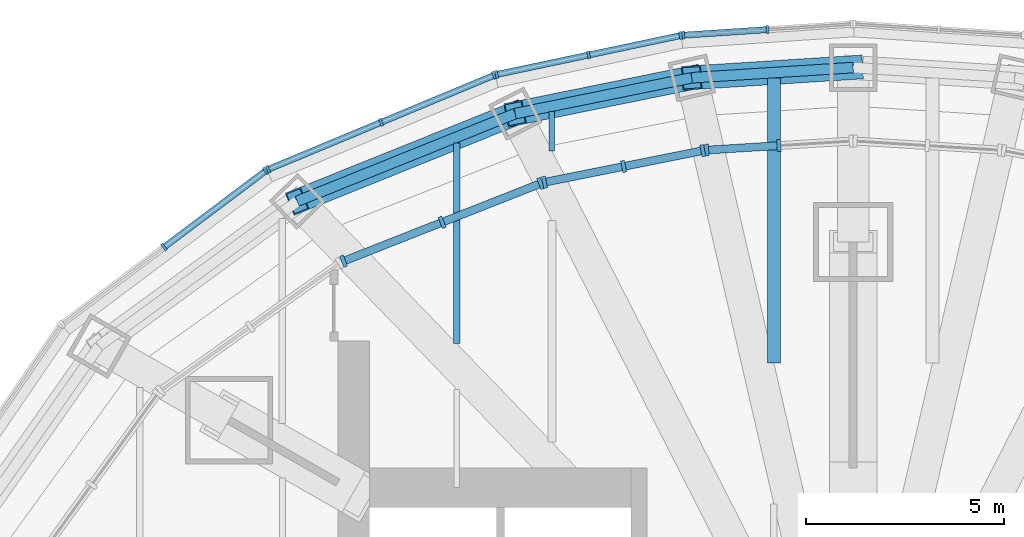
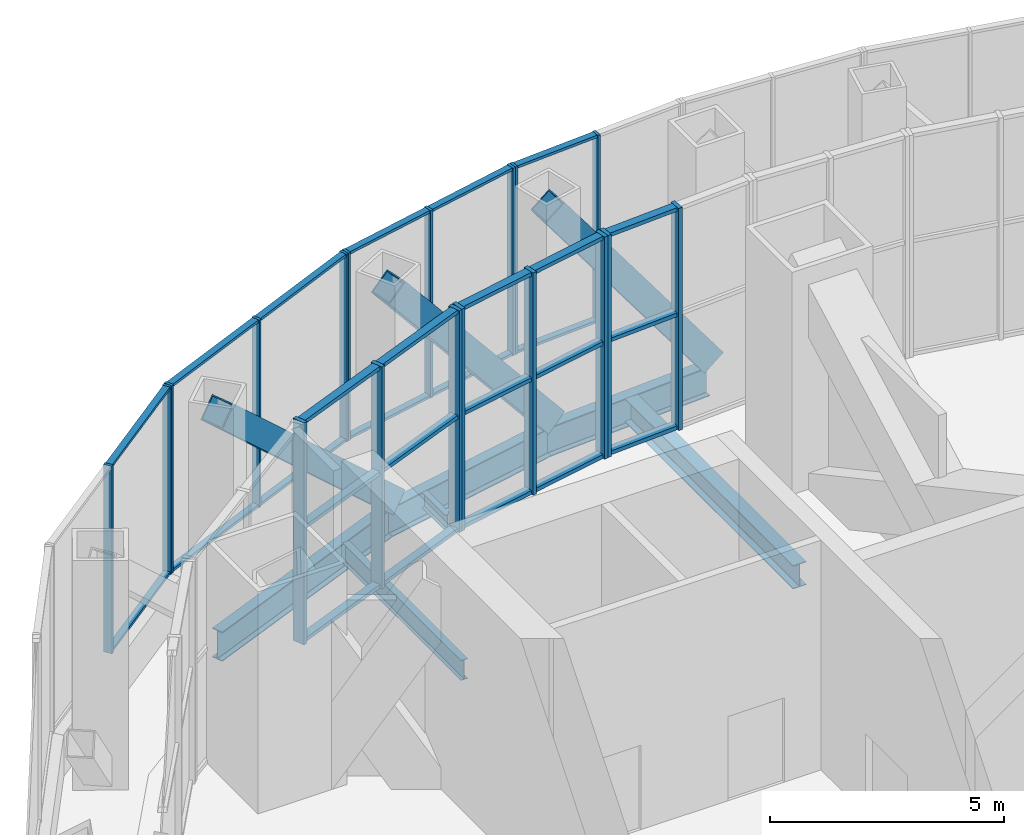
# One storey, part 10 of 21: 48 members, 6 beams, 7 elements without a shape of their own.
"""IFC4 building model written with IfcOpenShell, lengths in metres."""

from ifc_helpers import new_model, si_unit, direction, frame, origin, origin_2d, place, context, subcontext, project, spatial, rectangle, hollow_rectangle, i_section, extrude, material, material_profile, profile_set, type_object, element, aggregate, save


model = new_model("IFC4")

# Units and contexts
model_context = context("Model", 3, precision=1e-05, world=origin(), true_north=direction((0.0, 1.0)))
body_context = subcontext(model_context, "Body", "Model", "MODEL_VIEW")
ifc_project = project(units=[si_unit("LENGTHUNIT", "METRE"), si_unit("AREAUNIT", "SQUARE_METRE"), si_unit("VOLUMEUNIT", "CUBIC_METRE"), si_unit("PLANEANGLEUNIT", "RADIAN"), si_unit("MASSUNIT", "GRAM", prefix="KILO")], contexts=[model_context])

# Site, building, storey
site_placement = place(None, origin())
site = spatial("IfcSite", under=ifc_project, at=site_placement, CompositionType="ELEMENT")
building_placement = place(site_placement, origin())
building = spatial("IfcBuilding", under=site, at=building_placement, Name="Lantaw Convention Tower", CompositionType="ELEMENT")
storey_placement = place(building_placement, frame((0.0, 0.0, 284.39990234375)))
storey = spatial("IfcBuildingStorey", under=building, at=storey_placement, Name="L66", CompositionType="ELEMENT", Elevation=284.39990234375)

# Beams
ifc_material_1 = material(Name="Steel ASTM A992", Category="steel")
ifc_material_profile_1 = material_profile(ifc_material_1, i_section(OverallWidth=0.2666015625, OverallDepth=0.76953125, WebThickness=0.015625, FlangeThickness=0.025390625, FilletRadius=0.0126953125, at=origin_2d()), Name="W30X132")
ifc_profile_set_1 = profile_set([ifc_material_profile_1], Name="Steel ASTM A992")
beam_type_1 = type_object("IfcBeamType", Name="Beam E W30X132", PredefinedType="SPANDREL", material=ifc_profile_set_1)
beam_1_placement = place(storey_placement, frame((0.0, 17.89990234375, -0.584716796875), z_axis=(-0.998006453216, -0.063111958769, 0.0), x_axis=(0.063111958769, -0.998006453216, 0.0)))
element("IfcBeam", 1, at=beam_1_placement, inside=storey, type_object=beam_type_1, Name="Edge beam 7", PredefinedType="SPANDREL", context=body_context, shape_type="SweptSolid", body=[
    extrude(i_section(OverallWidth=0.2666015625, OverallDepth=0.76953125, WebThickness=0.015625, FlangeThickness=0.025390625, FilletRadius=0.0126953125, at=origin_2d()), origin(), (0.0, 0.0, 1.0), 4.0810546875),
])
beam_2_placement = place(storey_placement, frame((-4.072998046875, 17.642333984375, -0.584716796875), z_axis=(-0.980006466425, -0.198965639657, 0.0), x_axis=(0.198965639657, -0.980006466425, 0.0)))
element("IfcBeam", 2, at=beam_2_placement, inside=storey, type_object=beam_type_1, Name="Edge beam 8", PredefinedType="SPANDREL", context=body_context, shape_type="SweptSolid", body=[
    extrude(i_section(OverallWidth=0.2666015625, OverallDepth=0.76953125, WebThickness=0.015625, FlangeThickness=0.025390625, FilletRadius=0.0126953125, at=origin_2d()), origin(), (0.0, 0.0, 1.0), 4.546142578125),
])
beam_3_placement = place(storey_placement, frame((-8.5283203125, 16.73779296875, -0.584716796875), z_axis=(-0.927779110974, -0.373129898615, 0.0), x_axis=(0.373129898615, -0.927779110974, 0.0)))
element("IfcBeam", 3, at=beam_3_placement, inside=storey, type_object=beam_type_1, Name="Edge beam 9", PredefinedType="SPANDREL", context=body_context, shape_type="SweptSolid", body=[
    extrude(i_section(OverallWidth=0.2666015625, OverallDepth=0.76953125, WebThickness=0.015625, FlangeThickness=0.025390625, FilletRadius=0.0126953125, at=origin_2d()), origin(), (0.0, 0.0, 1.0), 5.92724609375),
])
ifc_material_profile_2 = material_profile(ifc_material_1, i_section(OverallWidth=0.140380859375, OverallDepth=0.40380859375, WebThickness=0.007080078125, FlangeThickness=0.01123046875, FilletRadius=0.01025390625, at=origin_2d()), Name="W16X31")
ifc_profile_set_2 = profile_set([ifc_material_profile_2], Name="Steel ASTM A992")
beam_type_2 = type_object("IfcBeamType", Name="Beam J W16X31", PredefinedType="JOIST", material=ifc_profile_set_2)
beam_4_placement = place(storey_placement, frame((-7.60009765625, 15.796875, -0.40185546875), z_axis=(0.0, 1.0, 0.0), x_axis=(-1.0, 0.0, 0.0)))
element("IfcBeam", 4, at=beam_4_placement, inside=storey, type_object=beam_type_2, Name="Floor joist", PredefinedType="JOIST", context=body_context, shape_type="SweptSolid", body=[
    extrude(i_section(OverallWidth=0.140380859375, OverallDepth=0.40380859375, WebThickness=0.007080078125, FlangeThickness=0.01123046875, FilletRadius=0.01025390625, at=origin_2d()), origin(), (0.0, 0.0, 1.0), 0.993408203125),
])
ifc_material_profile_3 = material_profile(ifc_material_1, i_section(OverallWidth=0.1650390625, OverallDepth=0.52587890625, WebThickness=0.0087890625, FlangeThickness=0.011474609375, FilletRadius=0.0126953125, at=origin_2d()), Name="W21X44")
ifc_profile_set_3 = profile_set([ifc_material_profile_3], Name="Steel ASTM A992")
beam_type_3 = type_object("IfcBeamType", Name="Beam J W21X44", PredefinedType="JOIST", material=ifc_profile_set_3)
beam_5_placement = place(storey_placement, frame((-10.0, 10.93115234375, -0.462890625), z_axis=(0.0, 1.0, 0.0), x_axis=(-1.0, 0.0, 0.0)))
element("IfcBeam", 5, at=beam_5_placement, inside=storey, type_object=beam_type_3, Name="Floor joist", PredefinedType="JOIST", context=body_context, shape_type="SweptSolid", body=[
    extrude(i_section(OverallWidth=0.1650390625, OverallDepth=0.52587890625, WebThickness=0.0087890625, FlangeThickness=0.011474609375, FilletRadius=0.0126953125, at=origin_2d()), origin(), (0.0, 0.0, 1.0), 5.071044921875),
])
ifc_material_profile_4 = material_profile(ifc_material_1, i_section(OverallWidth=0.3251953125, OverallDepth=0.612060546875, WebThickness=0.0126953125, FlangeThickness=0.01904296875, FilletRadius=0.0126953125, at=origin_2d()), Name="W24X104")
ifc_profile_set_4 = profile_set([ifc_material_profile_4], Name="Steel ASTM A992")
beam_type_4 = type_object("IfcBeamType", Name="Beam J W24X104", PredefinedType="JOIST", material=ifc_profile_set_4)
beam_6_placement = place(storey_placement, frame((-2.0, 10.441162109375, -0.505859375), z_axis=(0.0, 1.0, 0.0), x_axis=(-1.0, 0.0, 0.0)))
element("IfcBeam", 6, at=beam_6_placement, inside=storey, type_object=beam_type_4, Name="Floor joist", PredefinedType="JOIST", context=body_context, shape_type="SweptSolid", body=[
    extrude(i_section(OverallWidth=0.3251953125, OverallDepth=0.612060546875, WebThickness=0.0126953125, FlangeThickness=0.01904296875, FilletRadius=0.0126953125, at=origin_2d()), origin(), (0.0, 0.0, 1.0), 7.19873046875),
])

# Curtain wall, members
ifc_material_2 = material(Name="Aluminium framed curtain wall", Category="aluminium")
curtain_wall_type_1 = type_object("IfcCurtainWallType", Name="LANTERN glazing curtain wall, pale aluminium", PredefinedType="USERDEFINED", material=ifc_material_2)
curtain_wall_1_placement = place(storey_placement, origin())
curtain_wall_1 = element("IfcCurtainWall", 7, at=curtain_wall_1_placement, inside=storey, type_object=curtain_wall_type_1, Name="LANTERN glazing curtain wall, pale aluminium L66", ObjectType="LANTERN GLAZING", PredefinedType="USERDEFINED")
ifc_material_3 = material(Name="Aluminium 6063-T6", Category="aluminium")
ifc_material_profile_5 = material_profile(ifc_material_3, rectangle(XDim=0.300048828125, YDim=0.10009765625, at=origin_2d()), Name="CW-LN mullion 100x300")
ifc_profile_set_5 = profile_set([ifc_material_profile_5], Name="Aluminium 6063-T6")
member_type_1 = type_object("IfcMemberType", Name="CW-LN mullion 100x300", PredefinedType="MULLION", material=ifc_profile_set_5)
member_1_placement = place(storey_placement, frame((-1.87255859375, 15.930908203125, 0.0), z_axis=(0.0, 0.0, 1.0), x_axis=(0.062488626454, -0.998045676091, 0.0)))
member_1 = element("IfcMember", 8, at=member_1_placement, type_object=member_type_1, Name="CW-LN mullion 2", PredefinedType="MULLION", context=body_context, shape_type="SweptSolid", body=[
    extrude(rectangle(XDim=0.300048828125, YDim=0.10009765625, at=origin_2d()), origin(), (0.0, 0.0, 1.0), 5.800048828125),
])
member_2_placement = place(storey_placement, frame((-3.6953125, 15.816650390625, 0.0), z_axis=(0.0, 0.0, 1.0), x_axis=(0.062488626454, -0.998045676091, 0.0)))
member_2 = element("IfcMember", 9, at=member_2_placement, type_object=member_type_1, Name="CW-LN mullion 3", PredefinedType="MULLION", context=body_context, shape_type="SweptSolid", body=[
    extrude(rectangle(XDim=0.300048828125, YDim=0.10009765625, at=origin_2d()), origin(), (0.0, 0.0, 1.0), 5.800048828125),
])

curtain_wall_2_placement = place(storey_placement, origin())
curtain_wall_2 = element("IfcCurtainWall", 10, at=curtain_wall_2_placement, inside=storey, type_object=curtain_wall_type_1, Name="LANTERN glazing curtain wall, pale aluminium L66", ObjectType="LANTERN GLAZING", PredefinedType="USERDEFINED")
member_3_placement = place(storey_placement, frame((-3.79443359375, 15.8037109375, 0.0), z_axis=(0.0, 0.0, 1.0), x_axis=(0.196367228305, -0.980530423622, 0.0)))
member_3 = element("IfcMember", 11, at=member_3_placement, type_object=member_type_1, Name="CW-LN mullion 1", PredefinedType="MULLION", context=body_context, shape_type="SweptSolid", body=[
    extrude(rectangle(XDim=0.300048828125, YDim=0.10009765625, at=origin_2d()), origin(), (0.0, 0.0, 1.0), 5.800048828125),
])
member_4_placement = place(storey_placement, frame((-5.791015625, 15.404052734375, 0.0), z_axis=(0.0, 0.0, 1.0), x_axis=(0.196367228305, -0.980530423622, 0.0)))
member_4 = element("IfcMember", 12, at=member_4_placement, type_object=member_type_1, Name="CW-LN mullion 2", PredefinedType="MULLION", context=body_context, shape_type="SweptSolid", body=[
    extrude(rectangle(XDim=0.300048828125, YDim=0.10009765625, at=origin_2d()), origin(), (0.0, 0.0, 1.0), 5.800048828125),
])
member_5_placement = place(storey_placement, frame((-7.787353515625, 15.004150390625, 0.0), z_axis=(0.0, 0.0, 1.0), x_axis=(0.196367228305, -0.980530423622, 0.0)))
member_5 = element("IfcMember", 13, at=member_5_placement, type_object=member_type_1, Name="CW-LN mullion 3", PredefinedType="MULLION", context=body_context, shape_type="SweptSolid", body=[
    extrude(rectangle(XDim=0.300048828125, YDim=0.10009765625, at=origin_2d()), origin(), (0.0, 0.0, 1.0), 5.800048828125),
])

curtain_wall_3_placement = place(storey_placement, origin())
curtain_wall_3 = element("IfcCurtainWall", 14, at=curtain_wall_3_placement, inside=storey, type_object=curtain_wall_type_1, Name="LANTERN glazing curtain wall, pale aluminium L66", ObjectType="LANTERN GLAZING", PredefinedType="USERDEFINED")
member_6_placement = place(storey_placement, frame((-7.883056640625, 14.97607421875, 0.0), z_axis=(0.0, 0.0, 1.0), x_axis=(0.366801957358, -0.930299050885, 0.0)))
member_6 = element("IfcMember", 15, at=member_6_placement, type_object=member_type_1, Name="CW-LN mullion 1", PredefinedType="MULLION", context=body_context, shape_type="SweptSolid", body=[
    extrude(rectangle(XDim=0.300048828125, YDim=0.10009765625, at=origin_2d()), origin(), (0.0, 0.0, 1.0), 5.800048828125),
])
member_7_placement = place(storey_placement, frame((-10.37109375, 13.994873046875, 0.0), z_axis=(0.0, 0.0, 1.0), x_axis=(0.366801957358, -0.930299050885, 0.0)))
member_7 = element("IfcMember", 16, at=member_7_placement, type_object=member_type_1, Name="CW-LN mullion 2", PredefinedType="MULLION", context=body_context, shape_type="SweptSolid", body=[
    extrude(rectangle(XDim=0.300048828125, YDim=0.10009765625, at=origin_2d()), origin(), (0.0, 0.0, 1.0), 5.800048828125),
])
member_8_placement = place(storey_placement, frame((-12.859375, 13.013916015625, 0.0), z_axis=(0.0, 0.0, 1.0), x_axis=(0.366801957358, -0.930299050885, 0.0)))
member_8 = element("IfcMember", 17, at=member_8_placement, type_object=member_type_1, Name="CW-LN mullion 3", PredefinedType="MULLION", context=body_context, shape_type="SweptSolid", body=[
    extrude(rectangle(XDim=0.300048828125, YDim=0.10009765625, at=origin_2d()), origin(), (0.0, 0.0, 1.0), 5.800048828125),
])

# Member
ifc_material_profile_6 = material_profile(ifc_material_3, rectangle(XDim=0.199951171875, YDim=0.10009765625, at=origin_2d()), Name="CW-LN transom 100x200")
ifc_profile_set_6 = profile_set([ifc_material_profile_6], Name="Aluminium 6063-T6")
member_type_2 = type_object("IfcMemberType", Name="CW-LN transom 100x200", PredefinedType="USERDEFINED", material=ifc_profile_set_6)
member_9_placement = place(storey_placement, frame((-1.922607421875, 15.927734375, 0.050048828125), z_axis=(-0.9980443153, -0.062510356719, 0.0), x_axis=(0.062510356719, -0.9980443153, 0.0)))
member_9 = element("IfcMember", 18, at=member_9_placement, type_object=member_type_2, Name="CW-LN transom 2.1", ObjectType="TRANSOM", PredefinedType="USERDEFINED", context=body_context, shape_type="SweptSolid", body=[
    extrude(rectangle(XDim=0.199951171875, YDim=0.10009765625, at=origin_2d()), origin(), (0.0, 0.0, 1.0), 1.726318359375),
])

member_10_placement = place(storey_placement, frame((-1.922607421875, 15.927734375, 3.0), z_axis=(-0.9980443153, -0.062510356719, 0.0), x_axis=(0.062510356719, -0.9980443153, 0.0)))
member_10 = element("IfcMember", 19, at=member_10_placement, type_object=member_type_2, Name="CW-LN transom 2.2", ObjectType="TRANSOM", PredefinedType="USERDEFINED", context=body_context, shape_type="SweptSolid", body=[
    extrude(rectangle(XDim=0.199951171875, YDim=0.10009765625, at=origin_2d()), origin(), (0.0, 0.0, 1.0), 1.726318359375),
])

member_11_placement = place(storey_placement, frame((-1.922607421875, 15.927734375, 5.75), z_axis=(-0.9980443153, -0.062510356719, 0.0), x_axis=(0.062510356719, -0.9980443153, 0.0)))
member_11 = element("IfcMember", 20, at=member_11_placement, type_object=member_type_2, Name="CW-LN transom 2.3", ObjectType="TRANSOM", PredefinedType="USERDEFINED", context=body_context, shape_type="SweptSolid", body=[
    extrude(rectangle(XDim=0.199951171875, YDim=0.10009765625, at=origin_2d()), origin(), (0.0, 0.0, 1.0), 1.726318359375),
])

aggregate(curtain_wall_1, [member_1, member_2, member_9, member_10, member_11])

member_12_placement = place(storey_placement, frame((-3.84326171875, 15.7939453125, 0.050048828125), z_axis=(-0.980541861959, -0.196310104034, 0.0), x_axis=(0.196310104034, -0.980541861959, 0.0)))
member_12 = element("IfcMember", 21, at=member_12_placement, type_object=member_type_2, Name="CW-LN transom 1.1", ObjectType="TRANSOM", PredefinedType="USERDEFINED", context=body_context, shape_type="SweptSolid", body=[
    extrude(rectangle(XDim=0.199951171875, YDim=0.10009765625, at=origin_2d()), origin(), (0.0, 0.0, 1.0), 1.936279296875),
])

member_13_placement = place(storey_placement, frame((-3.84326171875, 15.7939453125, 3.0), z_axis=(-0.980541861959, -0.196310104034, 0.0), x_axis=(0.196310104034, -0.980541861959, 0.0)))
member_13 = element("IfcMember", 22, at=member_13_placement, type_object=member_type_2, Name="CW-LN transom 1.2", ObjectType="TRANSOM", PredefinedType="USERDEFINED", context=body_context, shape_type="SweptSolid", body=[
    extrude(rectangle(XDim=0.199951171875, YDim=0.10009765625, at=origin_2d()), origin(), (0.0, 0.0, 1.0), 1.936279296875),
])

member_14_placement = place(storey_placement, frame((-3.84326171875, 15.7939453125, 5.75), z_axis=(-0.980541861959, -0.196310104034, 0.0), x_axis=(0.196310104034, -0.980541861959, 0.0)))
member_14 = element("IfcMember", 23, at=member_14_placement, type_object=member_type_2, Name="CW-LN transom 1.3", ObjectType="TRANSOM", PredefinedType="USERDEFINED", context=body_context, shape_type="SweptSolid", body=[
    extrude(rectangle(XDim=0.199951171875, YDim=0.10009765625, at=origin_2d()), origin(), (0.0, 0.0, 1.0), 1.936279296875),
])

member_15_placement = place(storey_placement, frame((-5.83984375, 15.39404296875, 0.050048828125), z_axis=(-0.980541861959, -0.196310104034, 0.0), x_axis=(0.196310104034, -0.980541861959, 0.0)))
member_15 = element("IfcMember", 24, at=member_15_placement, type_object=member_type_2, Name="CW-LN transom 2.1", ObjectType="TRANSOM", PredefinedType="USERDEFINED", context=body_context, shape_type="SweptSolid", body=[
    extrude(rectangle(XDim=0.199951171875, YDim=0.10009765625, at=origin_2d()), origin(), (0.0, 0.0, 1.0), 1.936279296875),
])

member_16_placement = place(storey_placement, frame((-5.83984375, 15.39404296875, 3.0), z_axis=(-0.980541861959, -0.196310104034, 0.0), x_axis=(0.196310104034, -0.980541861959, 0.0)))
member_16 = element("IfcMember", 25, at=member_16_placement, type_object=member_type_2, Name="CW-LN transom 2.2", ObjectType="TRANSOM", PredefinedType="USERDEFINED", context=body_context, shape_type="SweptSolid", body=[
    extrude(rectangle(XDim=0.199951171875, YDim=0.10009765625, at=origin_2d()), origin(), (0.0, 0.0, 1.0), 1.936279296875),
])

member_17_placement = place(storey_placement, frame((-5.83984375, 15.39404296875, 5.75), z_axis=(-0.980541861959, -0.196310104034, 0.0), x_axis=(0.196310104034, -0.980541861959, 0.0)))
member_17 = element("IfcMember", 26, at=member_17_placement, type_object=member_type_2, Name="CW-LN transom 2.3", ObjectType="TRANSOM", PredefinedType="USERDEFINED", context=body_context, shape_type="SweptSolid", body=[
    extrude(rectangle(XDim=0.199951171875, YDim=0.10009765625, at=origin_2d()), origin(), (0.0, 0.0, 1.0), 1.936279296875),
])

aggregate(curtain_wall_2, [member_3, member_4, member_5, member_12, member_13, member_14, member_15, member_16, member_17])

member_18_placement = place(storey_placement, frame((-7.929443359375, 14.95751953125, 0.050048828125), z_axis=(-0.930309390119, -0.366775733461, 0.0), x_axis=(0.366775733461, -0.930309390119, 0.0)))
member_18 = element("IfcMember", 27, at=member_18_placement, type_object=member_type_2, Name="CW-LN transom 1.1", ObjectType="TRANSOM", PredefinedType="USERDEFINED", context=body_context, shape_type="SweptSolid", body=[
    extrude(rectangle(XDim=0.199951171875, YDim=0.10009765625, at=origin_2d()), origin(), (0.0, 0.0, 1.0), 2.57470703125),
])

member_19_placement = place(storey_placement, frame((-7.929443359375, 14.95751953125, 3.0), z_axis=(-0.930309390119, -0.366775733461, 0.0), x_axis=(0.366775733461, -0.930309390119, 0.0)))
member_19 = element("IfcMember", 28, at=member_19_placement, type_object=member_type_2, Name="CW-LN transom 1.2", ObjectType="TRANSOM", PredefinedType="USERDEFINED", context=body_context, shape_type="SweptSolid", body=[
    extrude(rectangle(XDim=0.199951171875, YDim=0.10009765625, at=origin_2d()), origin(), (0.0, 0.0, 1.0), 2.57470703125),
])

member_20_placement = place(storey_placement, frame((-7.929443359375, 14.95751953125, 5.75), z_axis=(-0.930309390119, -0.366775733461, 0.0), x_axis=(0.366775733461, -0.930309390119, 0.0)))
member_20 = element("IfcMember", 29, at=member_20_placement, type_object=member_type_2, Name="CW-LN transom 1.3", ObjectType="TRANSOM", PredefinedType="USERDEFINED", context=body_context, shape_type="SweptSolid", body=[
    extrude(rectangle(XDim=0.199951171875, YDim=0.10009765625, at=origin_2d()), origin(), (0.0, 0.0, 1.0), 2.57470703125),
])

member_21_placement = place(storey_placement, frame((-10.417724609375, 13.9765625, 0.050048828125), z_axis=(-0.930296632408, -0.366808091147, 0.0), x_axis=(0.366808091147, -0.930296632408, 0.0)))
member_21 = element("IfcMember", 30, at=member_21_placement, type_object=member_type_2, Name="CW-LN transom 2.1", ObjectType="TRANSOM", PredefinedType="USERDEFINED", context=body_context, shape_type="SweptSolid", body=[
    extrude(rectangle(XDim=0.199951171875, YDim=0.10009765625, at=origin_2d()), origin(), (0.0, 0.0, 1.0), 2.574462890625),
])

member_22_placement = place(storey_placement, frame((-10.417724609375, 13.9765625, 3.0), z_axis=(-0.930296632408, -0.366808091147, 0.0), x_axis=(0.366808091147, -0.930296632408, 0.0)))
member_22 = element("IfcMember", 31, at=member_22_placement, type_object=member_type_2, Name="CW-LN transom 2.2", ObjectType="TRANSOM", PredefinedType="USERDEFINED", context=body_context, shape_type="SweptSolid", body=[
    extrude(rectangle(XDim=0.199951171875, YDim=0.10009765625, at=origin_2d()), origin(), (0.0, 0.0, 1.0), 2.574462890625),
])

member_23_placement = place(storey_placement, frame((-10.417724609375, 13.9765625, 5.75), z_axis=(-0.930296632408, -0.366808091147, 0.0), x_axis=(0.366808091147, -0.930296632408, 0.0)))
member_23 = element("IfcMember", 32, at=member_23_placement, type_object=member_type_2, Name="CW-LN transom 2.3", ObjectType="TRANSOM", PredefinedType="USERDEFINED", context=body_context, shape_type="SweptSolid", body=[
    extrude(rectangle(XDim=0.199951171875, YDim=0.10009765625, at=origin_2d()), origin(), (0.0, 0.0, 1.0), 2.574462890625),
])

aggregate(curtain_wall_3, [member_6, member_7, member_8, member_18, member_19, member_20, member_21, member_22, member_23])

# Curtain wall, members
curtain_wall_type_2 = type_object("IfcCurtainWallType", Name="Plant floor louvre wall, pale aluminium", PredefinedType="USERDEFINED", material=ifc_material_2)
curtain_wall_4_placement = place(storey_placement, origin())
curtain_wall_4 = element("IfcCurtainWall", 33, at=curtain_wall_4_placement, inside=storey, type_object=curtain_wall_type_2, Name="Plant floor louvre wall, pale aluminium L66", ObjectType="LOUVRE WALL", PredefinedType="USERDEFINED")
ifc_material_profile_7 = material_profile(ifc_material_3, rectangle(XDim=0.199951171875, YDim=0.070068359375, at=origin_2d()), Name="CW-LV mullion 70x200")
ifc_profile_set_7 = profile_set([ifc_material_profile_7], Name="Aluminium 6063-T6")
member_type_3 = type_object("IfcMemberType", Name="CW-LV mullion 70x200", PredefinedType="MULLION", material=ifc_profile_set_7)
member_24_placement = place(storey_placement, frame((-2.16015625, 18.857177734375, 1.10009765625), z_axis=(0.0, 0.0, 1.0), x_axis=(0.066024902273, -0.997817975525, 0.0)))
member_24 = element("IfcMember", 34, at=member_24_placement, type_object=member_type_3, Name="CW-LV mullion 2", PredefinedType="MULLION", context=body_context, shape_type="SweptSolid", body=[
    extrude(rectangle(XDim=0.199951171875, YDim=0.070068359375, at=origin_2d()), origin(), (0.0, 0.0, 1.0), 4.89990234375),
])
member_25_placement = place(storey_placement, frame((-4.28564453125, 18.71630859375, 1.10009765625), z_axis=(0.0, 0.0, 1.0), x_axis=(0.066024902273, -0.997817975525, 0.0)))
member_25 = element("IfcMember", 35, at=member_25_placement, type_object=member_type_3, Name="CW-LV mullion 3", PredefinedType="MULLION", context=body_context, shape_type="SweptSolid", body=[
    extrude(rectangle(XDim=0.199951171875, YDim=0.070068359375, at=origin_2d()), origin(), (0.0, 0.0, 1.0), 4.89990234375),
])

curtain_wall_5_placement = place(storey_placement, origin())
curtain_wall_5 = element("IfcCurtainWall", 36, at=curtain_wall_5_placement, inside=storey, type_object=curtain_wall_type_2, Name="Plant floor louvre wall, pale aluminium L66", ObjectType="LOUVRE WALL", PredefinedType="USERDEFINED")
member_26_placement = place(storey_placement, frame((-4.354736328125, 18.706787109375, 1.10009765625), z_axis=(0.0, 0.0, 1.0), x_axis=(0.207039911975, -0.978332497083, 0.0)))
member_26 = element("IfcMember", 37, at=member_26_placement, type_object=member_type_3, Name="CW-LV mullion 1", PredefinedType="MULLION", context=body_context, shape_type="SweptSolid", body=[
    extrude(rectangle(XDim=0.199951171875, YDim=0.070068359375, at=origin_2d()), origin(), (0.0, 0.0, 1.0), 4.89990234375),
])
member_27_placement = place(storey_placement, frame((-6.674072265625, 18.216064453125, 1.10009765625), z_axis=(0.0, 0.0, 1.0), x_axis=(0.207039911975, -0.978332497083, 0.0)))
member_27 = element("IfcMember", 38, at=member_27_placement, type_object=member_type_3, Name="CW-LV mullion 2", PredefinedType="MULLION", context=body_context, shape_type="SweptSolid", body=[
    extrude(rectangle(XDim=0.199951171875, YDim=0.070068359375, at=origin_2d()), origin(), (0.0, 0.0, 1.0), 4.89990234375),
])
member_28_placement = place(storey_placement, frame((-8.993408203125, 17.72509765625, 1.10009765625), z_axis=(0.0, 0.0, 1.0), x_axis=(0.207039911975, -0.978332497083, 0.0)))
member_28 = element("IfcMember", 39, at=member_28_placement, type_object=member_type_3, Name="CW-LV mullion 3", PredefinedType="MULLION", context=body_context, shape_type="SweptSolid", body=[
    extrude(rectangle(XDim=0.199951171875, YDim=0.070068359375, at=origin_2d()), origin(), (0.0, 0.0, 1.0), 4.89990234375),
])

curtain_wall_6_placement = place(storey_placement, origin())
curtain_wall_6 = element("IfcCurtainWall", 40, at=curtain_wall_6_placement, inside=storey, type_object=curtain_wall_type_2, Name="Plant floor louvre wall, pale aluminium L66", ObjectType="LOUVRE WALL", PredefinedType="USERDEFINED")
member_29_placement = place(storey_placement, frame((-9.06005859375, 17.70458984375, 1.10009765625), z_axis=(0.0, 0.0, 1.0), x_axis=(0.384459697924, -0.923141777124, 0.0)))
member_29 = element("IfcMember", 41, at=member_29_placement, type_object=member_type_3, Name="CW-LV mullion 1", PredefinedType="MULLION", context=body_context, shape_type="SweptSolid", body=[
    extrude(rectangle(XDim=0.199951171875, YDim=0.070068359375, at=origin_2d()), origin(), (0.0, 0.0, 1.0), 4.89990234375),
])
member_30_placement = place(storey_placement, frame((-11.90966796875, 16.517578125, 1.10009765625), z_axis=(0.0, 0.0, 1.0), x_axis=(0.384459697924, -0.923141777124, 0.0)))
member_30 = element("IfcMember", 42, at=member_30_placement, type_object=member_type_3, Name="CW-LV mullion 2", PredefinedType="MULLION", context=body_context, shape_type="SweptSolid", body=[
    extrude(rectangle(XDim=0.199951171875, YDim=0.070068359375, at=origin_2d()), origin(), (0.0, 0.0, 1.0), 4.89990234375),
])
member_31_placement = place(storey_placement, frame((-14.759521484375, 15.330810546875, 1.10009765625), z_axis=(0.0, 0.0, 1.0), x_axis=(0.384459697924, -0.923141777124, 0.0)))
member_31 = element("IfcMember", 43, at=member_31_placement, type_object=member_type_3, Name="CW-LV mullion 3", PredefinedType="MULLION", context=body_context, shape_type="SweptSolid", body=[
    extrude(rectangle(XDim=0.199951171875, YDim=0.070068359375, at=origin_2d()), origin(), (0.0, 0.0, 1.0), 4.89990234375),
])

curtain_wall_7_placement = place(storey_placement, origin())
curtain_wall_7 = element("IfcCurtainWall", 44, at=curtain_wall_7_placement, inside=storey, type_object=curtain_wall_type_2, Name="Plant floor louvre wall, pale aluminium L66", ObjectType="LOUVRE WALL", PredefinedType="USERDEFINED")
member_32_placement = place(storey_placement, frame((-14.81982421875, 15.29638671875, 1.10009765625), z_axis=(0.0, 0.0, 1.0), x_axis=(0.600642756762, -0.799517528732, 0.0)))
member_32 = element("IfcMember", 45, at=member_32_placement, type_object=member_type_3, Name="CW-LV mullion 1", PredefinedType="MULLION", context=body_context, shape_type="SweptSolid", body=[
    extrude(rectangle(XDim=0.199951171875, YDim=0.070068359375, at=origin_2d()), origin(), (0.0, 0.0, 1.0), 4.89990234375),
])
member_33_placement = place(storey_placement, frame((-17.386962890625, 13.367919921875, 1.10009765625), z_axis=(0.0, 0.0, 1.0), x_axis=(0.600642756762, -0.799517528732, 0.0)))
member_33 = element("IfcMember", 46, at=member_33_placement, type_object=member_type_3, Name="CW-LV mullion 2", PredefinedType="MULLION", context=body_context, shape_type="SweptSolid", body=[
    extrude(rectangle(XDim=0.199951171875, YDim=0.070068359375, at=origin_2d()), origin(), (0.0, 0.0, 1.0), 4.89990234375),
])

# Member
ifc_material_profile_8 = material_profile(ifc_material_3, rectangle(XDim=0.159912109375, YDim=0.070068359375, at=origin_2d()), Name="CW-LV transom 70x160")
ifc_profile_set_8 = profile_set([ifc_material_profile_8], Name="Aluminium 6063-T6")
member_type_4 = type_object("IfcMemberType", Name="CW-LV transom 70x160", PredefinedType="USERDEFINED", material=ifc_profile_set_8)
member_34_placement = place(storey_placement, frame((-2.195068359375, 18.854736328125, 1.135009765625), z_axis=(-0.997819110413, -0.066007748753, 0.0), x_axis=(0.066007748753, -0.997819110413, 0.0)))
member_34 = element("IfcMember", 47, at=member_34_placement, type_object=member_type_4, Name="CW-LV transom 2.1", ObjectType="TRANSOM", PredefinedType="USERDEFINED", context=body_context, shape_type="SweptSolid", body=[
    extrude(rectangle(XDim=0.159912109375, YDim=0.070068359375, at=origin_2d()), origin(), (0.0, 0.0, 1.0), 2.06005859375),
])

member_35_placement = place(storey_placement, frame((-2.195068359375, 18.854736328125, 5.965087890625), z_axis=(-0.997819110413, -0.066007748753, 0.0), x_axis=(0.066007748753, -0.997819110413, 0.0)))
member_35 = element("IfcMember", 48, at=member_35_placement, type_object=member_type_4, Name="CW-LV transom 2.2", ObjectType="TRANSOM", PredefinedType="USERDEFINED", context=body_context, shape_type="SweptSolid", body=[
    extrude(rectangle(XDim=0.159912109375, YDim=0.070068359375, at=origin_2d()), origin(), (0.0, 0.0, 1.0), 2.06005859375),
])

aggregate(curtain_wall_4, [member_24, member_25, member_34, member_35])

member_36_placement = place(storey_placement, frame((-4.388916015625, 18.69970703125, 1.135009765625), z_axis=(-0.978336479598, -0.207021092375, 0.0), x_axis=(0.207021092375, -0.978336479598, 0.0)))
member_36 = element("IfcMember", 49, at=member_36_placement, type_object=member_type_4, Name="CW-LV transom 1.1", ObjectType="TRANSOM", PredefinedType="USERDEFINED", context=body_context, shape_type="SweptSolid", body=[
    extrude(rectangle(XDim=0.159912109375, YDim=0.070068359375, at=origin_2d()), origin(), (0.0, 0.0, 1.0), 2.30078125),
])

member_37_placement = place(storey_placement, frame((-4.388916015625, 18.69970703125, 5.965087890625), z_axis=(-0.978336479598, -0.207021092375, 0.0), x_axis=(0.207021092375, -0.978336479598, 0.0)))
member_37 = element("IfcMember", 50, at=member_37_placement, type_object=member_type_4, Name="CW-LV transom 1.2", ObjectType="TRANSOM", PredefinedType="USERDEFINED", context=body_context, shape_type="SweptSolid", body=[
    extrude(rectangle(XDim=0.159912109375, YDim=0.070068359375, at=origin_2d()), origin(), (0.0, 0.0, 1.0), 2.30078125),
])

member_38_placement = place(storey_placement, frame((-6.708251953125, 18.208740234375, 1.135009765625), z_axis=(-0.978336479598, -0.207021092375, 0.0), x_axis=(0.207021092375, -0.978336479598, 0.0)))
member_38 = element("IfcMember", 51, at=member_38_placement, type_object=member_type_4, Name="CW-LV transom 2.1", ObjectType="TRANSOM", PredefinedType="USERDEFINED", context=body_context, shape_type="SweptSolid", body=[
    extrude(rectangle(XDim=0.159912109375, YDim=0.070068359375, at=origin_2d()), origin(), (0.0, 0.0, 1.0), 2.30078125),
])

member_39_placement = place(storey_placement, frame((-6.708251953125, 18.208740234375, 5.965087890625), z_axis=(-0.978336479598, -0.207021092375, 0.0), x_axis=(0.207021092375, -0.978336479598, 0.0)))
member_39 = element("IfcMember", 52, at=member_39_placement, type_object=member_type_4, Name="CW-LV transom 2.2", ObjectType="TRANSOM", PredefinedType="USERDEFINED", context=body_context, shape_type="SweptSolid", body=[
    extrude(rectangle(XDim=0.159912109375, YDim=0.070068359375, at=origin_2d()), origin(), (0.0, 0.0, 1.0), 2.30078125),
])

aggregate(curtain_wall_5, [member_26, member_27, member_28, member_36, member_37, member_38, member_39])

member_40_placement = place(storey_placement, frame((-9.09228515625, 17.69091796875, 1.135009765625), z_axis=(-0.923143943999, -0.384454494911, 0.0), x_axis=(0.384454494911, -0.923143943999, 0.0)))
member_40 = element("IfcMember", 53, at=member_40_placement, type_object=member_type_4, Name="CW-LV transom 1.1", ObjectType="TRANSOM", PredefinedType="USERDEFINED", context=body_context, shape_type="SweptSolid", body=[
    extrude(rectangle(XDim=0.159912109375, YDim=0.070068359375, at=origin_2d()), origin(), (0.0, 0.0, 1.0), 3.01708984375),
])

member_41_placement = place(storey_placement, frame((-9.09228515625, 17.69091796875, 5.965087890625), z_axis=(-0.923143943999, -0.384454494911, 0.0), x_axis=(0.384454494911, -0.923143943999, 0.0)))
member_41 = element("IfcMember", 54, at=member_41_placement, type_object=member_type_4, Name="CW-LV transom 1.2", ObjectType="TRANSOM", PredefinedType="USERDEFINED", context=body_context, shape_type="SweptSolid", body=[
    extrude(rectangle(XDim=0.159912109375, YDim=0.070068359375, at=origin_2d()), origin(), (0.0, 0.0, 1.0), 3.01708984375),
])

member_42_placement = place(storey_placement, frame((-11.942138671875, 16.504150390625, 1.135009765625), z_axis=(-0.923143943999, -0.384454494911, 0.0), x_axis=(0.384454494911, -0.923143943999, 0.0)))
member_42 = element("IfcMember", 55, at=member_42_placement, type_object=member_type_4, Name="CW-LV transom 2.1", ObjectType="TRANSOM", PredefinedType="USERDEFINED", context=body_context, shape_type="SweptSolid", body=[
    extrude(rectangle(XDim=0.159912109375, YDim=0.070068359375, at=origin_2d()), origin(), (0.0, 0.0, 1.0), 3.01708984375),
])

member_43_placement = place(storey_placement, frame((-11.942138671875, 16.504150390625, 5.965087890625), z_axis=(-0.923143943999, -0.384454494911, 0.0), x_axis=(0.384454494911, -0.923143943999, 0.0)))
member_43 = element("IfcMember", 56, at=member_43_placement, type_object=member_type_4, Name="CW-LV transom 2.2", ObjectType="TRANSOM", PredefinedType="USERDEFINED", context=body_context, shape_type="SweptSolid", body=[
    extrude(rectangle(XDim=0.159912109375, YDim=0.070068359375, at=origin_2d()), origin(), (0.0, 0.0, 1.0), 3.01708984375),
])

aggregate(curtain_wall_6, [member_29, member_30, member_31, member_40, member_41, member_42, member_43])

member_44_placement = place(storey_placement, frame((-14.847900390625, 15.275390625, 1.135009765625), z_axis=(-0.799505333284, -0.600658989819, 0.0), x_axis=(0.600658989819, -0.799505333284, 0.0)))
member_44 = element("IfcMember", 57, at=member_44_placement, type_object=member_type_4, Name="CW-LV transom 1.1", ObjectType="TRANSOM", PredefinedType="USERDEFINED", context=body_context, shape_type="SweptSolid", body=[
    extrude(rectangle(XDim=0.159912109375, YDim=0.070068359375, at=origin_2d()), origin(), (0.0, 0.0, 1.0), 3.140625),
])

member_45_placement = place(storey_placement, frame((-14.847900390625, 15.275390625, 5.965087890625), z_axis=(-0.799505333284, -0.600658989819, 0.0), x_axis=(0.600658989819, -0.799505333284, 0.0)))
member_45 = element("IfcMember", 58, at=member_45_placement, type_object=member_type_4, Name="CW-LV transom 1.2", ObjectType="TRANSOM", PredefinedType="USERDEFINED", context=body_context, shape_type="SweptSolid", body=[
    extrude(rectangle(XDim=0.159912109375, YDim=0.070068359375, at=origin_2d()), origin(), (0.0, 0.0, 1.0), 3.140625),
])

aggregate(curtain_wall_7, [member_32, member_33, member_44, member_45])

# Members
ifc_material_4 = material(Name="Steel ASTM A572 Grade 50", Category="steel")
ifc_material_profile_9 = material_profile(ifc_material_4, hollow_rectangle(XDim=0.60009765625, YDim=0.60009765625, WallThickness=0.031982421875, at=origin_2d()), Name="BOX600X32")
ifc_profile_set_9 = profile_set([ifc_material_profile_9], Name="Steel ASTM A572 Grade 50")
member_type_5 = type_object("IfcMemberType", Name="Member CR BOX600X32", PredefinedType="BRACE", material=ifc_profile_set_9)
member_46_placement = place(storey_placement, frame((0.0, 17.89990234375, -0.005859375), z_axis=(-0.594705015881, -0.037607971693, 0.80306387327), x_axis=(0.063111958769, -0.998006453216, 0.0)))
element("IfcMember", 59, at=member_46_placement, inside=storey, type_object=member_type_5, Name="Crown ring truss diagonal 7", PredefinedType="BRACE", context=body_context, shape_type="SweptSolid", body=[
    extrude(hollow_rectangle(XDim=0.60009765625, YDim=0.60009765625, WallThickness=0.031982421875, at=origin_2d()), origin(), (0.0, 0.0, 1.0), 6.848876953125),
])
member_47_placement = place(storey_placement, frame((-4.072998046875, 17.642333984375, -0.005859375), z_axis=(-0.624371494169, -0.126762912263, 0.77077324898), x_axis=(0.198965639657, -0.980006466425, 0.0)))
element("IfcMember", 60, at=member_47_placement, inside=storey, type_object=member_type_5, Name="Crown ring truss diagonal 8", PredefinedType="BRACE", context=body_context, shape_type="SweptSolid", body=[
    extrude(hollow_rectangle(XDim=0.60009765625, YDim=0.60009765625, WallThickness=0.031982421875, at=origin_2d()), origin(), (0.0, 0.0, 1.0), 7.1357421875),
])
member_48_placement = place(storey_placement, frame((-8.5283203125, 16.73779296875, -0.005859375), z_axis=(-0.680097235143, -0.273518350862, 0.680187814131), x_axis=(0.373129898615, -0.927779110974, 0.0)))
element("IfcMember", 61, at=member_48_placement, inside=storey, type_object=member_type_5, Name="Crown ring truss diagonal 9", PredefinedType="BRACE", context=body_context, shape_type="SweptSolid", body=[
    extrude(hollow_rectangle(XDim=0.60009765625, YDim=0.60009765625, WallThickness=0.031982421875, at=origin_2d()), origin(), (0.0, 0.0, 1.0), 8.0859375),
])

save(model, "model.ifc")
